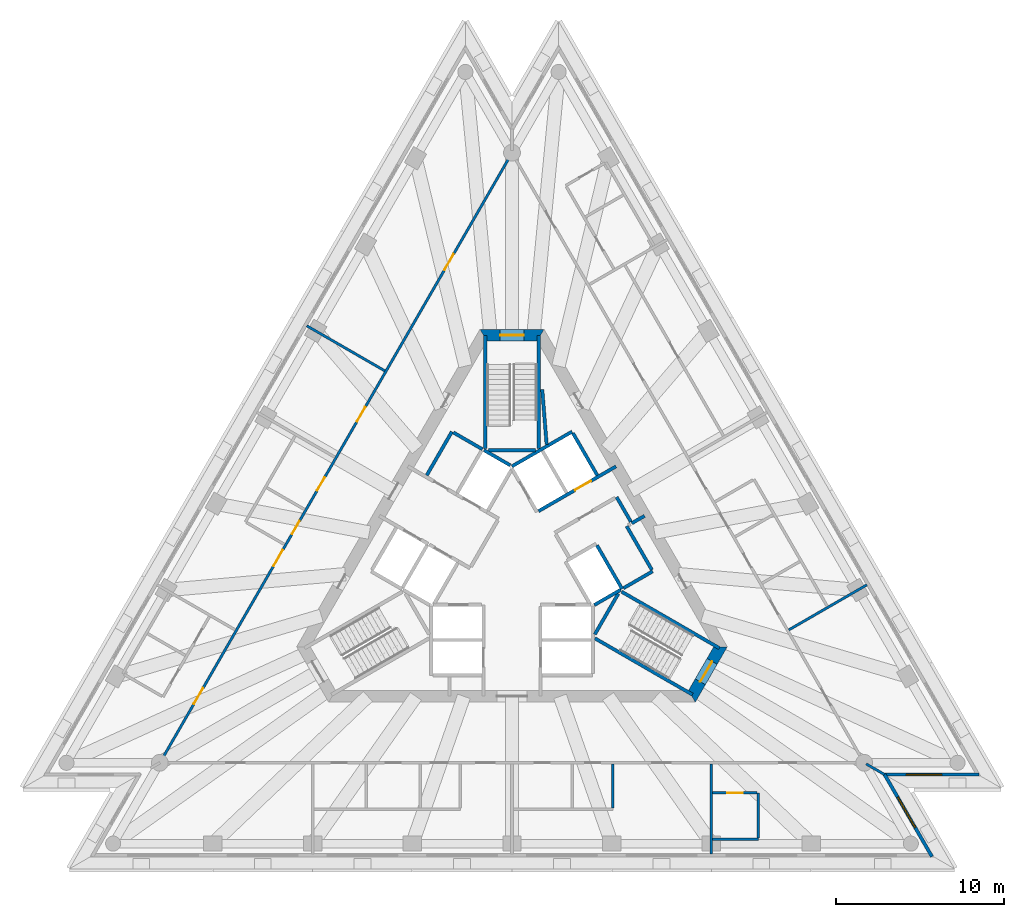
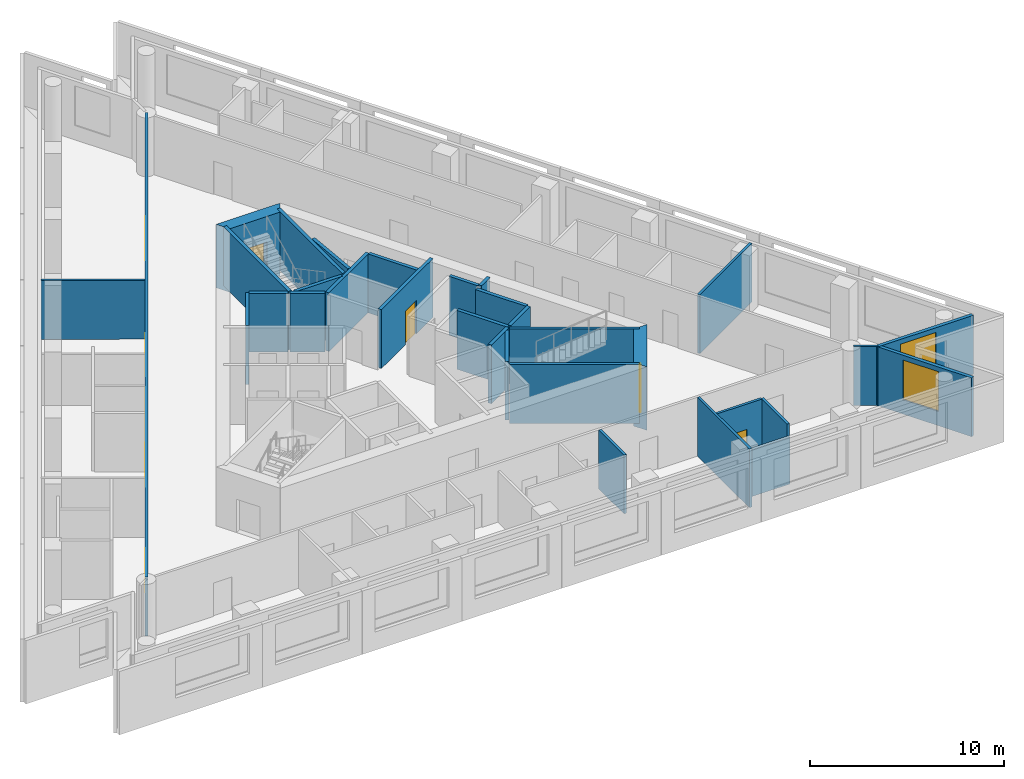
# One storey, part 5 of 9: 32 walls, 10 doors, 2 windows, 12 openings.
"""IFC4 building model written with IfcOpenShell, lengths in metres."""

from ifc_helpers import new_model, si_unit, direction, frame, frame_2d, origin, place, context, subcontext, project, spatial, polyline, rectangle, outline, extrude, material, layer, layer_set, layer_usage, type_object, element, fill, save


model = new_model("IFC4")

# Units and contexts
model_context = context("Model", 3, precision=1e-05, world=origin(), true_north=direction((0.0, 1.0)))
body_context = subcontext(model_context, "Body", "Model", "MODEL_VIEW")
ifc_project = project(units=[si_unit("LENGTHUNIT", "METRE"), si_unit("AREAUNIT", "SQUARE_METRE"), si_unit("VOLUMEUNIT", "CUBIC_METRE"), si_unit("PLANEANGLEUNIT", "RADIAN"), si_unit("MASSUNIT", "GRAM", prefix="KILO")], contexts=[model_context])

# Site, building, storey
site_placement = place(None, origin())
site = spatial("IfcSite", under=ifc_project, at=site_placement, CompositionType="ELEMENT")
building_placement = place(site_placement, origin())
building = spatial("IfcBuilding", under=site, at=building_placement, Name="Triada Interchange Tower", CompositionType="ELEMENT")
storey_placement = place(building_placement, frame((0.0, 0.0, 235.300048828125)))
storey = spatial("IfcBuildingStorey", under=building, at=storey_placement, Name="L55", CompositionType="ELEMENT", Elevation=235.300048828125)

# Wall
ifc_material_1 = material(Name="Concrete C30/37", Category="concrete")
ifc_layer_1 = layer(ifc_material_1, 0.199951171875)
ifc_layer_set_1 = layer_set([ifc_layer_1], Name="CORE WALL 200 EI 120")
wall_type_1 = type_object("IfcWallType", Name="CORE WALL 200 EI 120", PredefinedType="SOLIDWALL", material=ifc_layer_set_1)
wall_1_placement = place(storey_placement, frame((-0.001953125, 5.541015625, 0.0), z_axis=(0.0, 0.0, 1.0), x_axis=(0.86600155993, 0.500041296494, 0.0)))
element("IfcWall", 1, at=wall_1_placement, inside=storey, type_object=wall_type_1, Name="Wall L53 52", PredefinedType="SOLIDWALL", context=body_context, shape_type="SweptSolid", body=[
    extrude(rectangle(XDim=4.131591796875, YDim=0.199951171875, at=frame_2d((2.06591796875, 0.0))), origin(), (0.0, 0.0, 1.0), 3.699951171875),
])

# Wall, opening, door
wall_2_placement = place(storey_placement, frame((1.577880859375, 2.8740234375, 0.0), z_axis=(0.0, 0.0, 1.0), x_axis=(0.866045911672, 0.499964477614, 0.0)))
wall_2 = element("IfcWall", 2, at=wall_2_placement, inside=storey, type_object=wall_type_1, Name="Wall L53 55", PredefinedType="SOLIDWALL", context=body_context, shape_type="SweptSolid", body=[
    extrude(rectangle(XDim=5.32666015625, YDim=0.199951171875, at=frame_2d((2.663330078125, 0.0))), origin(), (0.0, 0.0, 1.0), 3.699951171875),
])
opening_1_placement = place(wall_2_placement, frame((2.49609375, 0.0, 0.0)))
opening_1 = element("IfcOpeningElement", 3, at=opening_1_placement, cuts=wall_2, Name="Opening LD-HR6", PredefinedType="OPENING", context=body_context, shape_type="SweptSolid", body=[
    extrude(rectangle(XDim=1.10009765625, YDim=2.10009765625, at=frame_2d((0.550048828125, 1.050048828125))), frame((0.0, 0.10986328125, 0.0), z_axis=(0.0, -1.0, 0.0), x_axis=(1.0, 0.0, 0.0)), (0.0, 0.0, 1.0), 0.219970703125),
])
ifc_material_2 = material(Name="Steel S235 door leaf", Category="steel")
door_type_1 = type_object("IfcDoorType", Name="LIFT LANDING DOOR 1100 EI 120", OperationType="SLIDING_TO_LEFT", PredefinedType="DOOR", material=ifc_material_2)
door_1_placement = place(opening_1_placement, origin())
door_1 = element("IfcDoor", 4, at=door_1_placement, inside=storey, type_object=door_type_1, Name="HR6 landing door L55", OperationType="SLIDING_TO_LEFT", OverallHeight=2.10009765625, OverallWidth=1.10009765625, PredefinedType="DOOR", context=body_context, shape_type="SweptSolid", body=[
    extrude(rectangle(XDim=1.10009765625, YDim=2.10009765625, at=frame_2d((0.550048828125, 1.050048828125))), frame((0.0, 0.02490234375, 0.0), z_axis=(0.0, -1.0, 0.0), x_axis=(1.0, 0.0, 0.0)), (0.0, 0.0, 1.0), 0.050048828125),
])
fill(opening_1, door_1)

# Walls
wall_3_placement = place(storey_placement, frame((7.12890625, 2.153076171875, 0.0), z_axis=(0.0, 0.0, 1.0), x_axis=(0.866083962871, 0.499898558967, 0.0)))
element("IfcWall", 5, at=wall_3_placement, inside=storey, type_object=wall_type_1, Name="Wall L53 59", PredefinedType="SOLIDWALL", context=body_context, shape_type="SweptSolid", body=[
    extrude(rectangle(XDim=0.880126953125, YDim=0.199951171875, at=frame_2d((0.43994140625, 0.0))), origin(), (0.0, 0.0, 1.0), 3.699951171875),
])
wall_4_placement = place(storey_placement, frame((3.6259765625, 7.52001953125, 0.0), z_axis=(0.0, 0.0, 1.0), x_axis=(0.500060147554, -0.865990674793, 0.0)))
element("IfcWall", 6, at=wall_4_placement, inside=storey, type_object=wall_type_1, Name="Wall L53 60", PredefinedType="SOLIDWALL", context=body_context, shape_type="SweptSolid", body=[
    extrude(rectangle(XDim=2.899658203125, YDim=0.199951171875, at=frame_2d((1.44970703125, 0.0))), origin(), (0.0, 0.0, 1.0), 3.699951171875),
])
wall_5_placement = place(storey_placement, frame((5.056884765625, 0.841064453125, 0.0), z_axis=(0.0, 0.0, 1.0), x_axis=(0.499990139034, -0.866031096941, 0.0)))
element("IfcWall", 7, at=wall_5_placement, inside=storey, type_object=wall_type_1, Name="Wall L53 62", PredefinedType="SOLIDWALL", context=body_context, shape_type="SweptSolid", body=[
    extrude(rectangle(XDim=3.0, YDim=0.199951171875, at=frame_2d((1.5, 0.0))), origin(), (0.0, 0.0, 1.0), 3.699951171875),
])
wall_6_placement = place(storey_placement, frame((4.89990234375, -2.714111328125, 0.0), z_axis=(0.0, 0.0, 1.0), x_axis=(0.865846928409, 0.500309001083, 0.0)))
element("IfcWall", 8, at=wall_6_placement, inside=storey, type_object=wall_type_1, Name="Wall L53 63", PredefinedType="SOLIDWALL", context=body_context, shape_type="SweptSolid", body=[
    extrude(rectangle(XDim=1.813232421875, YDim=0.199951171875, at=frame_2d((0.90673828125, 0.0))), origin(), (0.0, 0.0, 1.0), 3.699951171875),
])
wall_7_placement = place(storey_placement, frame((6.22900390625, 3.7119140625, 0.0), z_axis=(0.0, 0.0, 1.0), x_axis=(0.499875724984, -0.86609714211, 0.0)))
element("IfcWall", 9, at=wall_7_placement, inside=storey, type_object=wall_type_1, Name="Wall L53 64", PredefinedType="SOLIDWALL", context=body_context, shape_type="SweptSolid", body=[
    extrude(rectangle(XDim=1.70068359375, YDim=0.199951171875, at=frame_2d((0.850341796875, 0.0))), origin(), (0.0, 0.0, 1.0), 3.699951171875),
])
ifc_layer_2 = layer(ifc_material_1, 0.199951171875)
ifc_layer_set_2 = layer_set([ifc_layer_2], Name="CORE WALL 200 EI 180")
wall_type_2 = type_object("IfcWallType", Name="CORE WALL 200 EI 180", PredefinedType="SOLIDWALL", material=ifc_layer_set_2)
wall_8_placement = place(storey_placement, frame((-5.075927734375, 5.009033203125, 0.0), z_axis=(0.0, 0.0, 1.0), x_axis=(0.50002537861, 0.866010750942, 0.0)))
element("IfcWall", 10, at=wall_8_placement, inside=storey, type_object=wall_type_2, Name="Wall L53 71", PredefinedType="SOLIDWALL", context=body_context, shape_type="SweptSolid", body=[
    extrude(rectangle(XDim=2.999755859375, YDim=0.199951171875, at=frame_2d((1.5, 0.0))), origin(), (0.0, 0.0, 1.0), 3.699951171875),
])
wall_9_placement = place(storey_placement, frame((-3.489013671875, 7.556884765625, 0.0), z_axis=(0.0, 0.0, 1.0), x_axis=(0.866010750942, -0.50002537861, 0.0)))
element("IfcWall", 11, at=wall_9_placement, inside=storey, type_object=wall_type_2, Name="Wall L53 72", PredefinedType="SOLIDWALL", context=body_context, shape_type="SweptSolid", body=[
    extrude(rectangle(XDim=2.0, YDim=0.199951171875, at=frame_2d((1.0, 0.0))), origin(), (0.0, 0.0, 1.0), 3.699951171875),
])
wall_10_placement = place(storey_placement, frame((-1.669921875, 6.507080078125, 0.0), z_axis=(0.0, 0.0, 1.0), x_axis=(0.865941441609, -0.500145398563, 0.0)))
element("IfcWall", 12, at=wall_10_placement, inside=storey, type_object=wall_type_2, Name="Shaft wall FF2 L53 80", PredefinedType="SOLIDWALL", context=body_context, shape_type="SweptSolid", body=[
    extrude(rectangle(XDim=1.8154296875, YDim=0.199951171875, at=frame_2d((0.90771484375, 0.0))), origin(), (0.0, 0.0, 1.0), 3.699951171875),
])
ifc_layer_3 = layer(ifc_material_1, 0.199951171875)
ifc_layer_set_3 = layer_set([ifc_layer_3], Name="CORE WALL 200 EI 90")
wall_type_3 = type_object("IfcWallType", Name="CORE WALL 200 EI 90", PredefinedType="SOLIDWALL", material=ifc_layer_set_3)
wall_11_placement = place(storey_placement, frame((1.800048828125, 10.115966796875, 0.0), z_axis=(0.0, 0.0, 1.0), x_axis=(0.079902085418, -0.996802717064, 0.0)))
element("IfcWall", 13, at=wall_11_placement, inside=storey, type_object=wall_type_3, Name="Wall L53 83", PredefinedType="SOLIDWALL", context=body_context, shape_type="SweptSolid", body=[
    extrude(rectangle(XDim=3.278564453125, YDim=0.199951171875, at=frame_2d((1.63916015625, 0.0))), origin(), (0.0, 0.0, 1.0), 3.699951171875),
])
wall_12_placement = place(storey_placement, frame((6.64208984375, -1.7080078125, 0.0), z_axis=(0.0, 0.0, 1.0), x_axis=(0.866043441391, 0.499968756647, 0.0)))
element("IfcWall", 14, at=wall_12_placement, inside=storey, type_object=wall_type_3, Name="Wall L53 84", PredefinedType="SOLIDWALL", context=body_context, shape_type="SweptSolid", body=[
    extrude(rectangle(XDim=2.002197265625, YDim=0.199951171875, at=frame_2d((1.0009765625, 0.0))), origin(), (0.0, 0.0, 1.0), 3.699951171875),
])
wall_13_placement = place(storey_placement, frame((6.825927734375, 1.97802734375, 0.0), z_axis=(0.0, 0.0, 1.0), x_axis=(0.499990139034, -0.866031096941, 0.0)))
element("IfcWall", 15, at=wall_13_placement, inside=storey, type_object=wall_type_3, Name="Wall L53 85", PredefinedType="SOLIDWALL", context=body_context, shape_type="SweptSolid", body=[
    extrude(rectangle(XDim=3.0, YDim=0.199951171875, at=frame_2d((1.5, 0.0))), origin(), (0.0, 0.0, 1.0), 3.699951171875),
])
ifc_layer_4 = layer(ifc_material_1, 0.199951171875)
ifc_layer_set_4 = layer_set([ifc_layer_4], Name="CORE WALL 200 REI 240")
wall_type_4 = type_object("IfcWallType", Name="CORE WALL 200 REI 240", PredefinedType="SOLIDWALL", material=ifc_layer_set_4)
wall_14_placement = place(storey_placement, frame((1.60009765625, 6.614990234375, 0.0), z_axis=(0.0, 0.0, 1.0), x_axis=(0.0, 1.0, 0.0)))
element("IfcWall", 16, at=wall_14_placement, inside=storey, type_object=wall_type_4, Name="Wall L53 90", PredefinedType="SOLIDWALL", context=body_context, shape_type="SweptSolid", body=[
    extrude(rectangle(XDim=6.715087890625, YDim=0.199951171875, at=frame_2d((3.357421875, 0.0))), origin(), (0.0, 0.0, 1.0), 3.699951171875),
])
wall_15_placement = place(storey_placement, frame((-1.39990234375, 6.5, 0.0), z_axis=(0.0, 0.0, 1.0), x_axis=(1.0, 0.0, 0.0)))
element("IfcWall", 17, at=wall_15_placement, inside=storey, type_object=wall_type_4, Name="Wall L53 91", PredefinedType="SOLIDWALL", context=body_context, shape_type="SweptSolid", body=[
    extrude(rectangle(XDim=2.7998046875, YDim=0.199951171875, at=frame_2d((1.39990234375, 0.0))), origin(), (0.0, 0.0, 1.0), 3.699951171875),
])
wall_16_placement = place(storey_placement, frame((-1.60009765625, 6.614990234375, 0.0), z_axis=(0.0, 0.0, 1.0), x_axis=(0.0, 1.0, 0.0)))
element("IfcWall", 18, at=wall_16_placement, inside=storey, type_object=wall_type_4, Name="Wall L53 92", PredefinedType="SOLIDWALL", context=body_context, shape_type="SweptSolid", body=[
    extrude(rectangle(XDim=6.715087890625, YDim=0.199951171875, at=frame_2d((3.357421875, 0.0))), origin(), (0.0, 0.0, 1.0), 3.699951171875),
])
wall_17_placement = place(storey_placement, frame((4.928955078125, -4.693115234375, 0.0), z_axis=(0.0, 0.0, 1.0), x_axis=(0.865983344943, -0.500072840975, 0.0)))
element("IfcWall", 19, at=wall_17_placement, inside=storey, type_object=wall_type_4, Name="Wall L53 93", PredefinedType="SOLIDWALL", context=body_context, shape_type="SweptSolid", body=[
    extrude(rectangle(XDim=6.71484375, YDim=0.199951171875, at=frame_2d((3.357421875, 0.0))), origin(), (0.0, 0.0, 1.0), 3.699951171875),
])
wall_18_placement = place(storey_placement, frame((4.928955078125, -4.4619140625, 0.0), z_axis=(0.0, 0.0, 1.0), x_axis=(0.500200581029, 0.865909567298, 0.0)))
element("IfcWall", 20, at=wall_18_placement, inside=storey, type_object=wall_type_4, Name="Wall L53 94", PredefinedType="SOLIDWALL", context=body_context, shape_type="SweptSolid", body=[
    extrude(rectangle(XDim=2.799072265625, YDim=0.199951171875, at=frame_2d((1.3994140625, 0.0))), origin(), (0.0, 0.0, 1.0), 3.699951171875),
])
wall_19_placement = place(storey_placement, frame((6.529052734375, -1.922119140625, 0.0), z_axis=(0.0, 0.0, 1.0), x_axis=(0.866046323291, -0.499963764601, 0.0)))
element("IfcWall", 21, at=wall_19_placement, inside=storey, type_object=wall_type_4, Name="Wall L53 95", PredefinedType="SOLIDWALL", context=body_context, shape_type="SweptSolid", body=[
    extrude(rectangle(XDim=6.71435546875, YDim=0.199951171875, at=frame_2d((3.357177734375, 0.0))), origin(), (0.0, 0.0, 1.0), 3.699951171875),
])

# Wall, opening, door
ifc_material_3 = material(Name="Concrete C50/60", Category="concrete")
ifc_layer_5 = layer(ifc_material_3, 0.699951171875)
ifc_layer_set_5 = layer_set([ifc_layer_5], Name="Core wall C 700")
wall_type_5 = type_object("IfcWallType", Name="Core wall C 700", PredefinedType="SHEAR", material=ifc_layer_set_5)
wall_20_placement = place(storey_placement, frame((1.702880859375, 13.35009765625, -0.300048828125), z_axis=(0.0, 0.0, 1.0), x_axis=(-1.0, 0.0, 0.0)))
wall_20 = element("IfcWall", 22, at=wall_20_placement, inside=storey, type_object=wall_type_5, Name="Core wall WC01 L55", PredefinedType="SHEAR", context=body_context, shape_type="SweptSolid", body=[
    extrude(outline(polyline([(-0.201904296875, -0.35009765625), (1.703125, -0.35009765625), (3.60791015625, -0.35009765625), (3.2041015625, 0.35009765625), (1.703125, 0.35009765625), (0.201904296875, 0.35009765625), (-0.201904296875, -0.35009765625)])), origin(), (0.0, 0.0, 1.0), 4.0),
])
opening_2_placement = place(wall_20_placement, frame((1.0029296875, 0.0, 0.300048828125)))
opening_2 = element("IfcOpeningElement", 23, at=opening_2_placement, cuts=wall_20, Name="Opening D53-40", PredefinedType="OPENING", context=body_context, shape_type="SweptSolid", body=[
    extrude(rectangle(XDim=1.39990234375, YDim=2.10009765625, at=frame_2d((0.699951171875, 1.050048828125))), frame((0.0, 0.360107421875, 0.0), z_axis=(0.0, -1.0, 0.0), x_axis=(1.0, 0.0, 0.0)), (0.0, 0.0, 1.0), 0.72021484375),
])
door_type_2 = type_object("IfcDoorType", Name="STAIR DOOR 1400 EI2 90-C5S200", OperationType="DOUBLE_DOOR_SINGLE_SWING", PredefinedType="DOOR", material=ifc_material_2)
door_2_placement = place(opening_2_placement, origin())
door_2 = element("IfcDoor", 24, at=door_2_placement, inside=storey, type_object=door_type_2, Name="Door D53-40 L55", OperationType="DOUBLE_DOOR_SINGLE_SWING", OverallHeight=2.10009765625, OverallWidth=1.39990234375, PredefinedType="DOOR", context=body_context, shape_type="SweptSolid", body=[
    extrude(rectangle(XDim=1.39990234375, YDim=2.10009765625, at=frame_2d((0.699951171875, 1.050048828125))), frame((0.0, 0.02490234375, 0.0), z_axis=(0.0, -1.0, 0.0), x_axis=(1.0, 0.0, 0.0)), (0.0, 0.0, 1.0), 0.050048828125),
])
fill(opening_2, door_2)

wall_21_placement = place(storey_placement, frame((10.7099609375, -8.14990234375, -0.300048828125), z_axis=(0.0, 0.0, 1.0), x_axis=(0.49999337185, 0.866029230515, 0.0)))
wall_21 = element("IfcWall", 25, at=wall_21_placement, inside=storey, type_object=wall_type_5, Name="Core wall WC05 L55", PredefinedType="SHEAR", context=body_context, shape_type="SweptSolid", body=[
    extrude(outline(polyline([(-0.201904296875, -0.35009765625), (1.703125, -0.35009765625), (3.60791015625, -0.35009765625), (3.2041015625, 0.35009765625), (1.703125, 0.35009765625), (0.201904296875, 0.35009765625), (-0.201904296875, -0.35009765625)])), origin(), (0.0, 0.0, 1.0), 4.0),
])
opening_3_placement = place(wall_21_placement, frame((1.0029296875, 0.0, 0.300048828125)))
opening_3 = element("IfcOpeningElement", 26, at=opening_3_placement, cuts=wall_21, Name="Opening D53-42", PredefinedType="OPENING", context=body_context, shape_type="SweptSolid", body=[
    extrude(rectangle(XDim=1.39990234375, YDim=2.10009765625, at=frame_2d((0.699951171875, 1.050048828125))), frame((0.0, 0.360107421875, 0.0), z_axis=(0.0, -1.0, 0.0), x_axis=(1.0, 0.0, 0.0)), (0.0, 0.0, 1.0), 0.72021484375),
])
door_3_placement = place(opening_3_placement, origin())
door_3 = element("IfcDoor", 27, at=door_3_placement, inside=storey, type_object=door_type_2, Name="Door D53-42 L55", OperationType="DOUBLE_DOOR_SINGLE_SWING", OverallHeight=2.10009765625, OverallWidth=1.39990234375, PredefinedType="DOOR", context=body_context, shape_type="SweptSolid", body=[
    extrude(rectangle(XDim=1.39990234375, YDim=2.10009765625, at=frame_2d((0.699951171875, 1.050048828125))), frame((0.0, 0.02490234375, 0.0), z_axis=(0.0, -1.0, 0.0), x_axis=(1.0, 0.0, 0.0)), (0.0, 0.0, 1.0), 0.050048828125),
])
fill(opening_3, door_3)

# Wall, opening, window
ifc_material_4 = material(Name="Cement board")
ifc_layer_6 = layer(ifc_material_4, 0.02001953125, Name="Cement board cladding")
ifc_material_5 = material(Name="Sheathing board")
ifc_layer_7 = layer(ifc_material_5, 0.014892578125, Name="Sheathing board")
ifc_material_6 = material(Name="Mineral wool")
ifc_layer_8 = layer(ifc_material_6, 0.14990234375, Name="Mineral wool between steel studs")
ifc_material_7 = material(Name="Gypsum board")
ifc_layer_9 = layer(ifc_material_7, 0.014892578125, Name="Plasterboard lining")
ifc_layer_set_6 = layer_set([ifc_layer_6, ifc_layer_7, ifc_layer_8, ifc_layer_9], Name="External wall 200")
ifc_layer_usage = layer_usage(ifc_layer_set_6, "AXIS2", "POSITIVE", -0.10009765625)
wall_type_6 = type_object("IfcWallType", Name="External wall 200", PredefinedType="ELEMENTEDWALL", material=ifc_layer_set_6)
wall_22_placement = place(storey_placement, frame((25.00390625, -17.695068359375, 0.0), z_axis=(0.0, 0.0, 1.0), x_axis=(-0.49987899677, 0.866095253761, 0.0)))
wall_22 = element("IfcWall", 28, at=wall_22_placement, inside=storey, type_object=wall_type_6, material=ifc_layer_usage, Name="External wall L55 SE-1", PredefinedType="ELEMENTEDWALL", context=body_context, shape_type="SweptSolid", body=[
    extrude(rectangle(XDim=5.71533203125, YDim=0.199951171875, at=frame_2d((2.857666015625, 0.0))), origin(), (0.0, 0.0, 1.0), 3.699951171875),
])
opening_4_placement = place(wall_22_placement, frame((1.989990234375, 0.0, 0.89990234375)))
opening_4 = element("IfcOpeningElement", 29, at=opening_4_placement, cuts=wall_22, Name="Opening WC19", PredefinedType="OPENING", context=body_context, shape_type="SweptSolid", body=[
    extrude(rectangle(XDim=2.10009765625, YDim=2.5, at=frame_2d((1.050048828125, 1.25))), frame((0.0, 0.10986328125, 0.0), z_axis=(0.0, -1.0, 0.0), x_axis=(1.0, 0.0, 0.0)), (0.0, 0.0, 1.0), 0.219970703125),
])
ifc_material_8 = material(Name="Double glazed aluminium window", Category="aluminium")
window_type = type_object("IfcWindowType", Name="Ribbon window C pocket", PartitioningType="SINGLE_PANEL", PredefinedType="WINDOW", material=ifc_material_8)
window_1_placement = place(opening_4_placement, origin())
window_1 = element("IfcWindow", 30, at=window_1_placement, inside=storey, type_object=window_type, Name="Window L55 SE-1 1", OverallHeight=2.5, OverallWidth=2.10009765625, PartitioningType="SINGLE_PANEL", PredefinedType="WINDOW", context=body_context, shape_type="SweptSolid", body=[
    extrude(rectangle(XDim=2.10009765625, YDim=2.5, at=frame_2d((1.050048828125, 1.25))), frame((0.0, 0.030029296875, 0.0), z_axis=(0.0, -1.0, 0.0), x_axis=(1.0, 0.0, 0.0)), (0.0, 0.0, 1.0), 0.06005859375),
])
fill(opening_4, window_1)

wall_23_placement = place(storey_placement, frame((22.092041015625, -12.805908203125, 0.0), z_axis=(0.0, 0.0, 1.0), x_axis=(1.0, 0.0, 0.0)))
wall_23 = element("IfcWall", 31, at=wall_23_placement, inside=storey, type_object=wall_type_6, material=ifc_layer_usage, Name="External wall L55 SE-2", PredefinedType="ELEMENTEDWALL", context=body_context, shape_type="SweptSolid", body=[
    extrude(rectangle(XDim=5.71484375, YDim=0.199951171875, at=frame_2d((2.857421875, 0.0))), origin(), (0.0, 0.0, 1.0), 3.699951171875),
])
opening_5_placement = place(wall_23_placement, frame((1.389892578125, 0.0, 0.89990234375)))
opening_5 = element("IfcOpeningElement", 32, at=opening_5_placement, cuts=wall_23, Name="Opening WC20", PredefinedType="OPENING", context=body_context, shape_type="SweptSolid", body=[
    extrude(rectangle(XDim=2.10009765625, YDim=2.5, at=frame_2d((1.050048828125, 1.25))), frame((0.0, 0.10986328125, 0.0), z_axis=(0.0, -1.0, 0.0), x_axis=(1.0, 0.0, 0.0)), (0.0, 0.0, 1.0), 0.219970703125),
])
window_2_placement = place(opening_5_placement, origin())
window_2 = element("IfcWindow", 33, at=window_2_placement, inside=storey, type_object=window_type, Name="Window L55 SE-2 1", OverallHeight=2.5, OverallWidth=2.10009765625, PartitioningType="SINGLE_PANEL", PredefinedType="WINDOW", context=body_context, shape_type="SweptSolid", body=[
    extrude(rectangle(XDim=2.10009765625, YDim=2.5, at=frame_2d((1.050048828125, 1.25))), frame((0.0, 0.030029296875, 0.0), z_axis=(0.0, -1.0, 0.0), x_axis=(1.0, 0.0, 0.0)), (0.0, 0.0, 1.0), 0.06005859375),
])
fill(opening_5, window_2)

# Wall, openings, doors
ifc_material_9 = material(Name="Gypsum board partition")
ifc_layer_10 = layer(ifc_material_9, 0.14990234375)
ifc_layer_set_7 = layer_set([ifc_layer_10], Name="PARTITION 150 EI 180")
wall_type_7 = type_object("IfcWallType", Name="PARTITION 150 EI 180", PredefinedType="PARTITIONING", material=ifc_layer_set_7)
wall_24_placement = place(storey_placement, frame((-20.882080078125, -11.968994140625, 0.0), z_axis=(0.0, 0.0, 1.0), x_axis=(0.499998738735, 0.866026131975, 0.0)))
wall_24 = element("IfcWall", 34, at=wall_24_placement, inside=storey, type_object=wall_type_7, Name="Wall L53 4", PredefinedType="PARTITIONING", context=body_context, shape_type="SweptSolid", body=[
    extrude(rectangle(XDim=41.76416015625, YDim=0.14990234375, at=frame_2d((20.882080078125, 0.0))), origin(), (0.0, 0.0, 1.0), 3.699951171875),
])
opening_6_placement = place(wall_24_placement, frame((33.714111328125, 0.0, 0.0)))
opening_6 = element("IfcOpeningElement", 35, at=opening_6_placement, cuts=wall_24, Name="Opening D53-31", PredefinedType="OPENING", context=body_context, shape_type="SweptSolid", body=[
    extrude(rectangle(XDim=1.10009765625, YDim=2.10009765625, at=frame_2d((0.550048828125, 1.050048828125))), frame((0.0, 0.0849609375, 0.0), z_axis=(0.0, -1.0, 0.0), x_axis=(1.0, 0.0, 0.0)), (0.0, 0.0, 1.0), 0.169921875),
])
opening_7_placement = place(wall_24_placement, frame((23.29296875, 0.0, 0.0)))
opening_7 = element("IfcOpeningElement", 36, at=opening_7_placement, cuts=wall_24, Name="Opening D53-32", PredefinedType="OPENING", context=body_context, shape_type="SweptSolid", body=[
    extrude(rectangle(XDim=1.0, YDim=2.10009765625, at=frame_2d((0.5, 1.050048828125))), frame((0.0, 0.0849609375, 0.0), z_axis=(0.0, -1.0, 0.0), x_axis=(1.0, 0.0, 0.0)), (0.0, 0.0, 1.0), 0.169921875),
])
opening_8_placement = place(wall_24_placement, frame((13.35595703125, 0.0, 0.0)))
opening_8 = element("IfcOpeningElement", 37, at=opening_8_placement, cuts=wall_24, Name="Opening D53-33", PredefinedType="OPENING", context=body_context, shape_type="SweptSolid", body=[
    extrude(rectangle(XDim=1.10009765625, YDim=2.10009765625, at=frame_2d((0.550048828125, 1.050048828125))), frame((0.0, 0.0849609375, 0.0), z_axis=(0.0, -1.0, 0.0), x_axis=(1.0, 0.0, 0.0)), (0.0, 0.0, 1.0), 0.169921875),
])
opening_9_placement = place(wall_24_placement, frame((18.555908203125, 0.0, 0.0)))
opening_9 = element("IfcOpeningElement", 38, at=opening_9_placement, cuts=wall_24, Name="Opening D53-34", PredefinedType="OPENING", context=body_context, shape_type="SweptSolid", body=[
    extrude(rectangle(XDim=0.89990234375, YDim=2.10009765625, at=frame_2d((0.449951171875, 1.050048828125))), frame((0.0, 0.0849609375, 0.0), z_axis=(0.0, -1.0, 0.0), x_axis=(1.0, 0.0, 0.0)), (0.0, 0.0, 1.0), 0.169921875),
])
opening_10_placement = place(wall_24_placement, frame((15.555908203125, 0.0, 0.0)))
opening_10 = element("IfcOpeningElement", 39, at=opening_10_placement, cuts=wall_24, Name="Opening D53-35", PredefinedType="OPENING", context=body_context, shape_type="SweptSolid", body=[
    extrude(rectangle(XDim=0.89990234375, YDim=2.10009765625, at=frame_2d((0.449951171875, 1.050048828125))), frame((0.0, 0.0849609375, 0.0), z_axis=(0.0, -1.0, 0.0), x_axis=(1.0, 0.0, 0.0)), (0.0, 0.0, 1.0), 0.169921875),
])
opening_11_placement = place(wall_24_placement, frame((3.883056640625, 0.0, 0.0)))
opening_11 = element("IfcOpeningElement", 40, at=opening_11_placement, cuts=wall_24, Name="Opening D53-36", PredefinedType="OPENING", context=body_context, shape_type="SweptSolid", body=[
    extrude(rectangle(XDim=1.10009765625, YDim=2.10009765625, at=frame_2d((0.550048828125, 1.050048828125))), frame((0.0, 0.0849609375, 0.0), z_axis=(0.0, -1.0, 0.0), x_axis=(1.0, 0.0, 0.0)), (0.0, 0.0, 1.0), 0.169921875),
])
door_type_3 = type_object("IfcDoorType", Name="ROOM DOOR 1000 EI2 90-C5S200", OperationType="NOTDEFINED", PredefinedType="DOOR", material=ifc_material_2)
door_4_placement = place(opening_7_placement, origin())
door_4 = element("IfcDoor", 41, at=door_4_placement, inside=storey, type_object=door_type_3, Name="Door D53-32 L55", OperationType="SINGLE_SWING_LEFT", OverallHeight=2.10009765625, OverallWidth=1.0, PredefinedType="DOOR", context=body_context, shape_type="SweptSolid", body=[
    extrude(rectangle(XDim=1.0, YDim=2.10009765625, at=frame_2d((0.5, 1.050048828125))), frame((0.0, 0.02490234375, 0.0), z_axis=(0.0, -1.0, 0.0), x_axis=(1.0, 0.0, 0.0)), (0.0, 0.0, 1.0), 0.050048828125),
])
fill(opening_7, door_4)
door_type_4 = type_object("IfcDoorType", Name="ROOM DOOR 900 EI2 90-C5S200", OperationType="NOTDEFINED", PredefinedType="DOOR", material=ifc_material_2)
door_5_placement = place(opening_9_placement, origin())
door_5 = element("IfcDoor", 42, at=door_5_placement, inside=storey, type_object=door_type_4, Name="Door D53-34 L55", OperationType="SINGLE_SWING_LEFT", OverallHeight=2.10009765625, OverallWidth=0.89990234375, PredefinedType="DOOR", context=body_context, shape_type="SweptSolid", body=[
    extrude(rectangle(XDim=0.89990234375, YDim=2.10009765625, at=frame_2d((0.449951171875, 1.050048828125))), frame((0.0, 0.02490234375, 0.0), z_axis=(0.0, -1.0, 0.0), x_axis=(1.0, 0.0, 0.0)), (0.0, 0.0, 1.0), 0.050048828125),
])
fill(opening_9, door_5)
door_6_placement = place(opening_10_placement, origin())
door_6 = element("IfcDoor", 43, at=door_6_placement, inside=storey, type_object=door_type_4, Name="Door D53-35 L55", OperationType="SINGLE_SWING_RIGHT", OverallHeight=2.10009765625, OverallWidth=0.89990234375, PredefinedType="DOOR", context=body_context, shape_type="SweptSolid", body=[
    extrude(rectangle(XDim=0.89990234375, YDim=2.10009765625, at=frame_2d((0.449951171875, 1.050048828125))), frame((0.0, 0.02490234375, 0.0), z_axis=(0.0, -1.0, 0.0), x_axis=(1.0, 0.0, 0.0)), (0.0, 0.0, 1.0), 0.050048828125),
])
fill(opening_10, door_6)
door_type_5 = type_object("IfcDoorType", Name="TENANCY ENTRANCE DOOR 1100 EI2 90-C5S200", OperationType="NOTDEFINED", PredefinedType="DOOR", material=ifc_material_2)
door_7_placement = place(opening_6_placement, origin())
door_7 = element("IfcDoor", 44, at=door_7_placement, inside=storey, type_object=door_type_5, Name="Door D53-31 L55", OperationType="SINGLE_SWING_RIGHT", OverallHeight=2.10009765625, OverallWidth=1.10009765625, PredefinedType="DOOR", context=body_context, shape_type="SweptSolid", body=[
    extrude(rectangle(XDim=1.10009765625, YDim=2.10009765625, at=frame_2d((0.550048828125, 1.050048828125))), frame((0.0, 0.02490234375, 0.0), z_axis=(0.0, -1.0, 0.0), x_axis=(1.0, 0.0, 0.0)), (0.0, 0.0, 1.0), 0.050048828125),
])
fill(opening_6, door_7)
door_8_placement = place(opening_8_placement, origin())
door_8 = element("IfcDoor", 45, at=door_8_placement, inside=storey, type_object=door_type_5, Name="Door D53-33 L55", OperationType="SINGLE_SWING_LEFT", OverallHeight=2.10009765625, OverallWidth=1.10009765625, PredefinedType="DOOR", context=body_context, shape_type="SweptSolid", body=[
    extrude(rectangle(XDim=1.10009765625, YDim=2.10009765625, at=frame_2d((0.550048828125, 1.050048828125))), frame((0.0, 0.02490234375, 0.0), z_axis=(0.0, -1.0, 0.0), x_axis=(1.0, 0.0, 0.0)), (0.0, 0.0, 1.0), 0.050048828125),
])
fill(opening_8, door_8)
door_9_placement = place(opening_11_placement, origin())
door_9 = element("IfcDoor", 46, at=door_9_placement, inside=storey, type_object=door_type_5, Name="Door D53-36 L55", OperationType="SINGLE_SWING_LEFT", OverallHeight=2.10009765625, OverallWidth=1.10009765625, PredefinedType="DOOR", context=body_context, shape_type="SweptSolid", body=[
    extrude(rectangle(XDim=1.10009765625, YDim=2.10009765625, at=frame_2d((0.550048828125, 1.050048828125))), frame((0.0, 0.02490234375, 0.0), z_axis=(0.0, -1.0, 0.0), x_axis=(1.0, 0.0, 0.0)), (0.0, 0.0, 1.0), 0.050048828125),
])
fill(opening_11, door_9)

# Walls
wall_25_placement = place(storey_placement, frame((21.0859375, -12.175048828125, 0.0), z_axis=(0.0, 0.0, 1.0), x_axis=(0.866143786764, -0.499794898583, 0.0)))
element("IfcWall", 47, at=wall_25_placement, inside=storey, type_object=wall_type_7, Name="Wall L53 7", PredefinedType="PARTITIONING", context=body_context, shape_type="SweptSolid", body=[
    extrude(rectangle(XDim=1.26416015625, YDim=0.14990234375, at=frame_2d((0.632080078125, 0.0))), origin(), (0.0, 0.0, 1.0), 3.699951171875),
])
wall_26_placement = place(storey_placement, frame((-12.218994140625, 13.909912109375, 0.0), z_axis=(0.0, 0.0, 1.0), x_axis=(0.866052151752, -0.499953668299, 0.0)))
element("IfcWall", 48, at=wall_26_placement, inside=storey, type_object=wall_type_7, Name="Wall L53 11", PredefinedType="PARTITIONING", context=body_context, shape_type="SweptSolid", body=[
    extrude(rectangle(XDim=5.3623046875, YDim=0.14990234375, at=frame_2d((2.68115234375, 0.0))), origin(), (0.0, 0.0, 1.0), 3.699951171875),
])
wall_27_placement = place(storey_placement, frame((6.0, -14.783935546875, 0.0), z_axis=(0.0, 0.0, 1.0), x_axis=(0.0, 1.0, 0.0)))
element("IfcWall", 49, at=wall_27_placement, inside=storey, type_object=wall_type_7, Name="Wall L53 21", PredefinedType="PARTITIONING", context=body_context, shape_type="SweptSolid", body=[
    extrude(rectangle(XDim=2.60888671875, YDim=0.14990234375, at=frame_2d((1.304443359375, 0.0))), origin(), (0.0, 0.0, 1.0), 3.699951171875),
])
wall_28_placement = place(storey_placement, frame((11.873046875, -17.537109375, 0.0), z_axis=(0.0, 0.0, 1.0), x_axis=(0.0, 1.0, 0.0)))
element("IfcWall", 50, at=wall_28_placement, inside=storey, type_object=wall_type_7, Name="Wall L53 24", PredefinedType="PARTITIONING", context=body_context, shape_type="SweptSolid", body=[
    extrude(rectangle(XDim=5.362060546875, YDim=0.14990234375, at=frame_2d((2.68115234375, 0.0))), origin(), (0.0, 0.0, 1.0), 3.699951171875),
])
wall_29_placement = place(storey_placement, frame((16.47998046875, -4.195068359375, 0.0), z_axis=(0.0, 0.0, 1.0), x_axis=(0.866032438121, 0.499987815973, 0.0)))
element("IfcWall", 51, at=wall_29_placement, inside=storey, type_object=wall_type_7, Name="Wall L53 29", PredefinedType="PARTITIONING", context=body_context, shape_type="SweptSolid", body=[
    extrude(rectangle(XDim=5.362548828125, YDim=0.14990234375, at=frame_2d((2.68115234375, 0.0))), origin(), (0.0, 0.0, 1.0), 3.699951171875),
])
ifc_layer_11 = layer(ifc_material_9, 0.14990234375)
ifc_layer_set_8 = layer_set([ifc_layer_11], Name="PARTITION 150 EI 90")
wall_type_8 = type_object("IfcWallType", Name="PARTITION 150 EI 90", PredefinedType="PARTITIONING", material=ifc_layer_set_8)
wall_30_placement = place(storey_placement, frame((11.947998046875, -16.658935546875, 0.0), z_axis=(0.0, 0.0, 1.0), x_axis=(1.0, 0.0, 0.0)))
element("IfcWall", 52, at=wall_30_placement, inside=storey, type_object=wall_type_8, Name="Wall L53 39", PredefinedType="PARTITIONING", context=body_context, shape_type="SweptSolid", body=[
    extrude(rectangle(XDim=2.72509765625, YDim=0.14990234375, at=frame_2d((1.362548828125, 0.0))), origin(), (0.0, 0.0, 1.0), 2.949951171875),
])
wall_31_placement = place(storey_placement, frame((14.673095703125, -16.583984375, 0.0), z_axis=(0.0, 0.0, 1.0), x_axis=(0.0, 1.0, 0.0)))
element("IfcWall", 53, at=wall_31_placement, inside=storey, type_object=wall_type_8, Name="Wall L53 40", PredefinedType="PARTITIONING", context=body_context, shape_type="SweptSolid", body=[
    extrude(rectangle(XDim=2.68408203125, YDim=0.14990234375, at=frame_2d((1.342041015625, 0.0))), origin(), (0.0, 0.0, 1.0), 3.699951171875),
])

# Wall, opening, door
wall_32_placement = place(storey_placement, frame((11.947998046875, -13.89990234375, 0.0), z_axis=(0.0, 0.0, 1.0), x_axis=(1.0, 0.0, 0.0)))
wall_32 = element("IfcWall", 54, at=wall_32_placement, inside=storey, type_object=wall_type_8, Name="Wall L53 41", PredefinedType="PARTITIONING", context=body_context, shape_type="SweptSolid", body=[
    extrude(rectangle(XDim=2.64990234375, YDim=0.14990234375, at=frame_2d((1.324951171875, 0.0))), origin(), (0.0, 0.0, 1.0), 3.699951171875),
])
opening_12_placement = place(wall_32_placement, frame((0.875, 0.0, 0.0)))
opening_12 = element("IfcOpeningElement", 55, at=opening_12_placement, cuts=wall_32, Name="Opening D53-20", PredefinedType="OPENING", context=body_context, shape_type="SweptSolid", body=[
    extrude(rectangle(XDim=0.89990234375, YDim=2.10009765625, at=frame_2d((0.449951171875, 1.050048828125))), frame((0.0, 0.0849609375, 0.0), z_axis=(0.0, -1.0, 0.0), x_axis=(1.0, 0.0, 0.0)), (0.0, 0.0, 1.0), 0.169921875),
])
door_type_6 = type_object("IfcDoorType", Name="ROOM DOOR 900 EI2 45-C5S200", OperationType="NOTDEFINED", PredefinedType="DOOR", material=ifc_material_2)
door_10_placement = place(opening_12_placement, origin())
door_10 = element("IfcDoor", 56, at=door_10_placement, inside=storey, type_object=door_type_6, Name="Door D53-20 L55", OperationType="SINGLE_SWING_RIGHT", OverallHeight=2.10009765625, OverallWidth=0.89990234375, PredefinedType="DOOR", context=body_context, shape_type="SweptSolid", body=[
    extrude(rectangle(XDim=0.89990234375, YDim=2.10009765625, at=frame_2d((0.449951171875, 1.050048828125))), frame((0.0, 0.02490234375, 0.0), z_axis=(0.0, -1.0, 0.0), x_axis=(1.0, 0.0, 0.0)), (0.0, 0.0, 1.0), 0.050048828125),
])
fill(opening_12, door_10)

save(model, "model.ifc")
